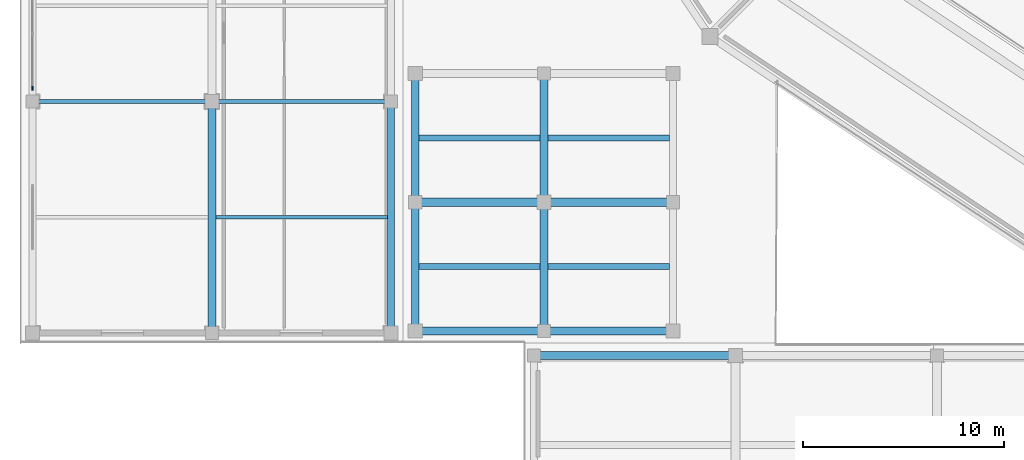
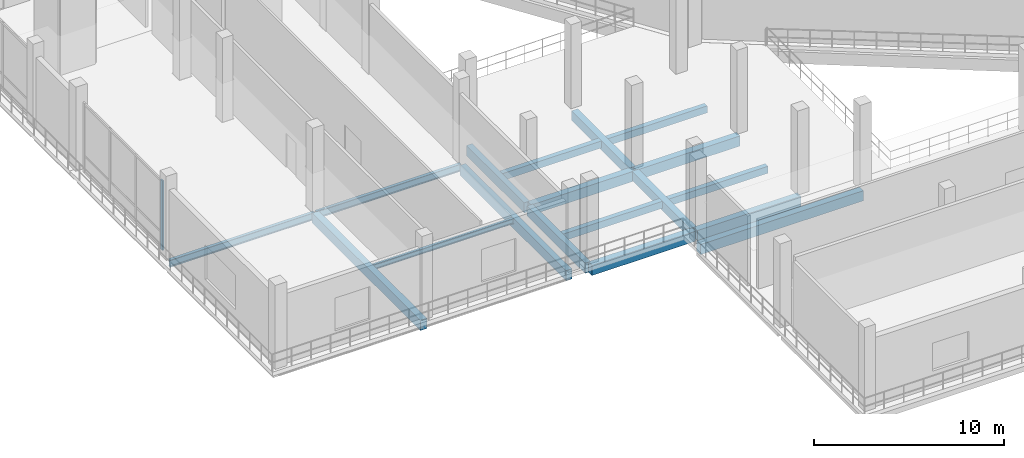
# One storey, part 12 of 127: 18 beams, 1 member, 1 element without a shape of its own.
"""IFC4 building model written with IfcOpenShell, lengths in metres."""

from ifc_helpers import new_model, si_unit, direction, frame, origin, origin_2d, place, context, subcontext, project, spatial, rectangle, i_section, extrude, material, material_profile, profile_set, type_object, element, aggregate, save


model = new_model("IFC4")

# Units and contexts
model_context = context("Model", 3, precision=1e-05, world=origin(), true_north=direction((0.0, 1.0)))
body_context = subcontext(model_context, "Body", "Model", "MODEL_VIEW")
ifc_project = project(units=[si_unit("LENGTHUNIT", "METRE"), si_unit("AREAUNIT", "SQUARE_METRE"), si_unit("VOLUMEUNIT", "CUBIC_METRE"), si_unit("PLANEANGLEUNIT", "RADIAN"), si_unit("MASSUNIT", "GRAM", prefix="KILO")], contexts=[model_context])

# Site, building, storey
site_placement = place(None, origin())
site = spatial("IfcSite", under=ifc_project, at=site_placement, CompositionType="ELEMENT")
building_placement = place(site_placement, origin())
building = spatial("IfcBuilding", under=site, at=building_placement, Name="Candeia Ridge Stadium", CompositionType="ELEMENT")
storey_placement = place(building_placement, frame((0.0, 0.0, 10.800048828125)))
storey = spatial("IfcBuildingStorey", under=building, at=storey_placement, Name="L02", CompositionType="ELEMENT", Elevation=10.800048828125)

# Curtain wall, member
ifc_material_1 = material(Name="Aluminium Anodized Warm Bronze", Category="aluminium")
curtain_wall_type = type_object("IfcCurtainWallType", Name="Cardinal Entrance Gate Tall Glazed Curtain Wall", PredefinedType="NOTDEFINED", material=ifc_material_1)
curtain_wall_placement = place(storey_placement, origin())
curtain_wall = element("IfcCurtainWall", 1, at=curtain_wall_placement, inside=storey, type_object=curtain_wall_type, Name="Unitised curtain wall CW-WNG-L02-081", PredefinedType="NOTDEFINED")
ifc_material_profile_1 = material_profile(ifc_material_1, rectangle(XDim=0.090087890625, YDim=0.179931640625, at=origin_2d()), Name="CWM-90x180", Category="aluminium")
ifc_profile_set_1 = profile_set([ifc_material_profile_1], Name="Aluminium Anodized Warm Bronze")
member_type = type_object("IfcMemberType", Name="Curtain Wall Primary Mullion 90x180", PredefinedType="MULLION", material=ifc_profile_set_1)
member_placement = place(storey_placement, frame((0.60009765625, 31.659912109375, 0.0), z_axis=(0.0, 0.0, 1.0), x_axis=(1.0, 0.0, 0.0)))
member = element("IfcMember", 2, at=member_placement, type_object=member_type, Name="Curtain wall mullion CW-WNG-L02-081-M0", PredefinedType="MULLION", context=body_context, shape_type="SweptSolid", body=[
    extrude(rectangle(XDim=0.090087890625, YDim=0.179931640625, at=origin_2d()), origin(), (0.0, 0.0, 1.0), 4.48486328125),
])
aggregate(curtain_wall, [member])

# Beams
ifc_material_2 = material(Name="Concrete C40/50", Category="concrete")
ifc_material_profile_2 = material_profile(ifc_material_2, rectangle(XDim=0.300048828125, YDim=0.449951171875, at=origin_2d()), Name="RC300x450", Category="concrete")
ifc_profile_set_2 = profile_set([ifc_material_profile_2], Name="Concrete C40/50")
beam_type_1 = type_object("IfcBeamType", Name="Floor Joist RC300x450", PredefinedType="JOIST", material=ifc_profile_set_2)
for number, where, z_axis, x_axis, name in (
    (3, (19.7744140625, 22.800048828125, -0.485107421875), (1.0, 0.0, 0.0), (0.0, 1.0, 0.0), "Wing secondary joist BM-L02-2237"),
    (4, (19.7744140625, 29.199951171875, -0.485107421875), (1.0, 0.0, 0.0), (0.0, 1.0, 0.0), "Wing secondary joist BM-L02-2239"),
    (5, (26.199462890625, 22.800048828125, -0.485107421875), (1.0, 0.0, 0.0), (0.0, 1.0, 0.0), "Wing secondary joist BM-L02-2242"),
    (6, (26.199462890625, 29.199951171875, -0.485107421875), (1.0, 0.0, 0.0), (0.0, 1.0, 0.0), "Wing secondary joist BM-L02-2244"),
):
    element("IfcBeam", number, at=place(storey_placement, frame(where, z_axis=z_axis, x_axis=x_axis)), inside=storey, type_object=beam_type_1, Name=name, PredefinedType="JOIST", context=body_context, shape_type="SweptSolid", body=[
        extrude(rectangle(XDim=0.300048828125, YDim=0.449951171875, at=origin_2d()), origin(), (0.0, 0.0, 1.0), 6.026123046875),
    ])
ifc_material_profile_3 = material_profile(ifc_material_2, rectangle(XDim=0.39990234375, YDim=0.60009765625, at=origin_2d()), Name="RC400x600", Category="concrete")
ifc_profile_set_3 = profile_set([ifc_material_profile_3], Name="Concrete C40/50")
beam_type_2 = type_object("IfcBeamType", Name="Frame Girder RC400x600", PredefinedType="BEAM", material=ifc_profile_set_3)
for number, where, z_axis, x_axis, name in (
    (7, (26.0, 19.760009765625, -0.56005859375), (0.0, 1.0, 0.0), (-1.0, 0.0, 0.0), "Structural girder BM-L02-2232"),
    (8, (26.0, 26.159912109375, -0.56005859375), (0.0, 1.0, 0.0), (-1.0, 0.0, 0.0), "Structural girder BM-L02-2233"),
):
    element("IfcBeam", number, at=place(storey_placement, frame(where, z_axis=z_axis, x_axis=x_axis)), inside=storey, type_object=beam_type_2, Name=name, PredefinedType="BEAM", context=body_context, shape_type="SweptSolid", body=[
        extrude(rectangle(XDim=0.39990234375, YDim=0.60009765625, at=origin_2d()), origin(), (0.0, 0.0, 1.0), 6.080078125),
    ])
ifc_material_3 = material(Name="Steel ASTM A572 Grade 50", Category="steel")
ifc_material_profile_4 = material_profile(ifc_material_3, i_section(OverallWidth=0.1669921875, OverallDepth=0.31689453125, WebThickness=0.007568359375, FlangeThickness=0.01318359375, FilletRadius=0.011962890625, at=origin_2d()), Name="W310x52", Category="steel")
ifc_profile_set_4 = profile_set([ifc_material_profile_4], Name="Steel ASTM A572 Grade 50")
beam_type_3 = type_object("IfcBeamType", Name="Pavilion Secondary Joist W310x52", PredefinedType="JOIST", material=ifc_profile_set_4)
beam_1_placement = place(storey_placement, frame((9.699462890625, 25.25, -0.41845703125), z_axis=(1.0, 0.0, 0.0), x_axis=(0.0, 1.0, 0.0)))
element("IfcBeam", 9, at=beam_1_placement, inside=storey, type_object=beam_type_3, Name="Wing secondary joist BM-L02-1170", PredefinedType="JOIST", context=body_context, shape_type="SweptSolid", body=[
    extrude(i_section(OverallWidth=0.1669921875, OverallDepth=0.31689453125, WebThickness=0.007568359375, FlangeThickness=0.01318359375, FilletRadius=0.011962890625, at=origin_2d()), origin(), (0.0, 0.0, 1.0), 8.526123046875),
])
ifc_material_profile_5 = material_profile(ifc_material_3, i_section(OverallWidth=0.18994140625, OverallDepth=0.45703125, WebThickness=0.009033203125, FlangeThickness=0.014404296875, FilletRadius=0.012939453125, at=origin_2d()), Name="W460x74", Category="steel")
ifc_profile_set_5 = profile_set([ifc_material_profile_5], Name="Steel ASTM A572 Grade 50")
beam_type_4 = type_object("IfcBeamType", Name="Pavilion Steel Girder W460x74", PredefinedType="BEAM", material=ifc_profile_set_5)
for number, where, z_axis, x_axis, name in (
    (10, (0.64990234375, 31.0, -0.488525390625), (1.0, 0.0, 0.0), (0.0, 1.0, 0.0), "Structural girder BM-L02-1153"),
    (11, (9.550048828125, 31.0, -0.488525390625), (1.0, 0.0, 0.0), (0.0, 1.0, 0.0), "Structural girder BM-L02-1171"),
):
    element("IfcBeam", number, at=place(storey_placement, frame(where, z_axis=z_axis, x_axis=x_axis)), inside=storey, type_object=beam_type_4, Name=name, PredefinedType="BEAM", context=body_context, shape_type="SweptSolid", body=[
        extrude(i_section(OverallWidth=0.18994140625, OverallDepth=0.45703125, WebThickness=0.009033203125, FlangeThickness=0.014404296875, FilletRadius=0.012939453125, at=origin_2d()), origin(), (0.0, 0.0, 1.0), 8.800048828125),
    ])
ifc_material_profile_6 = material_profile(ifc_material_2, rectangle(XDim=0.35009765625, YDim=0.64990234375, at=origin_2d()), Name="RC350x650", Category="concrete")
ifc_profile_set_6 = profile_set([ifc_material_profile_6], Name="Concrete C40/50")
beam_type_5 = type_object("IfcBeamType", Name="Spandrel Beam RC350x650", PredefinedType="SPANDREL", material=ifc_profile_set_6)
beam_2_placement = place(storey_placement, frame((18.39990234375, 19.659912109375, -0.5849609375), z_axis=(0.0, 1.0, 0.0), x_axis=(-1.0, 0.0, 0.0)))
element("IfcBeam", 12, at=beam_2_placement, inside=storey, type_object=beam_type_5, Name="Structural girder BM-L02-1139", PredefinedType="SPANDREL", context=body_context, shape_type="SweptSolid", body=[
    extrude(rectangle(XDim=0.35009765625, YDim=0.64990234375, at=origin_2d()), origin(), (0.0, 0.0, 1.0), 11.18017578125),
])
for number, where, z_axis, x_axis, name in (
    (13, (19.60009765625, 19.760009765625, -0.5849609375), (0.0, 1.0, 0.0), (-1.0, 0.0, 0.0), "Structural girder BM-L02-2230"),
    (14, (19.60009765625, 26.159912109375, -0.5849609375), (0.0, 1.0, 0.0), (-1.0, 0.0, 0.0), "Structural girder BM-L02-2231"),
):
    element("IfcBeam", number, at=place(storey_placement, frame(where, z_axis=z_axis, x_axis=x_axis)), inside=storey, type_object=beam_type_5, Name=name, PredefinedType="SPANDREL", context=body_context, shape_type="SweptSolid", body=[
        extrude(rectangle(XDim=0.35009765625, YDim=0.64990234375, at=origin_2d()), origin(), (0.0, 0.0, 1.0), 6.080078125),
    ])
ifc_material_profile_7 = material_profile(ifc_material_2, rectangle(XDim=0.39990234375, YDim=0.64990234375, at=origin_2d()), Name="RC400x650", Category="concrete")
ifc_profile_set_7 = profile_set([ifc_material_profile_7], Name="Concrete C40/50")
beam_type_6 = type_object("IfcBeamType", Name="Wing Primary Girder RC400x650", PredefinedType="BEAM", material=ifc_profile_set_7)
beam_3_placement = place(storey_placement, frame((9.5, 19.550048828125, -0.5849609375), z_axis=(0.0, 1.0, 0.0), x_axis=(-1.0, 0.0, 0.0)))
element("IfcBeam", 15, at=beam_3_placement, inside=storey, type_object=beam_type_6, Name="Structural girder BM-L02-1127", PredefinedType="BEAM", context=body_context, shape_type="SweptSolid", body=[
    extrude(rectangle(XDim=0.39990234375, YDim=0.64990234375, at=origin_2d()), origin(), (0.0, 0.0, 1.0), 11.39990234375),
])
beam_4_placement = place(storey_placement, frame((25.550048828125, 18.39990234375, -0.5849609375), z_axis=(1.0, 0.0, 0.0), x_axis=(0.0, 1.0, 0.0)))
element("IfcBeam", 16, at=beam_4_placement, inside=storey, type_object=beam_type_6, Name="Structural girder BM-L02-2125", PredefinedType="BEAM", context=body_context, shape_type="SweptSolid", body=[
    extrude(rectangle(XDim=0.39990234375, YDim=0.64990234375, at=origin_2d()), origin(), (0.0, 0.0, 1.0), 9.89990234375),
])
for number, where, z_axis, x_axis, name in (
    (17, (19.64990234375, 19.60009765625, -0.5849609375), (1.0, 0.0, 0.0), (0.0, 1.0, 0.0), "Structural girder BM-L02-2236"),
    (18, (19.64990234375, 26.0, -0.5849609375), (1.0, 0.0, 0.0), (0.0, 1.0, 0.0), "Structural girder BM-L02-2238"),
    (19, (26.050048828125, 19.60009765625, -0.5849609375), (1.0, 0.0, 0.0), (0.0, 1.0, 0.0), "Structural girder BM-L02-2241"),
    (20, (26.050048828125, 26.0, -0.5849609375), (1.0, 0.0, 0.0), (0.0, 1.0, 0.0), "Structural girder BM-L02-2243"),
):
    element("IfcBeam", number, at=place(storey_placement, frame(where, z_axis=z_axis, x_axis=x_axis)), inside=storey, type_object=beam_type_6, Name=name, PredefinedType="BEAM", context=body_context, shape_type="SweptSolid", body=[
        extrude(rectangle(XDim=0.39990234375, YDim=0.64990234375, at=origin_2d()), origin(), (0.0, 0.0, 1.0), 6.300048828125),
    ])

save(model, "model.ifc")
